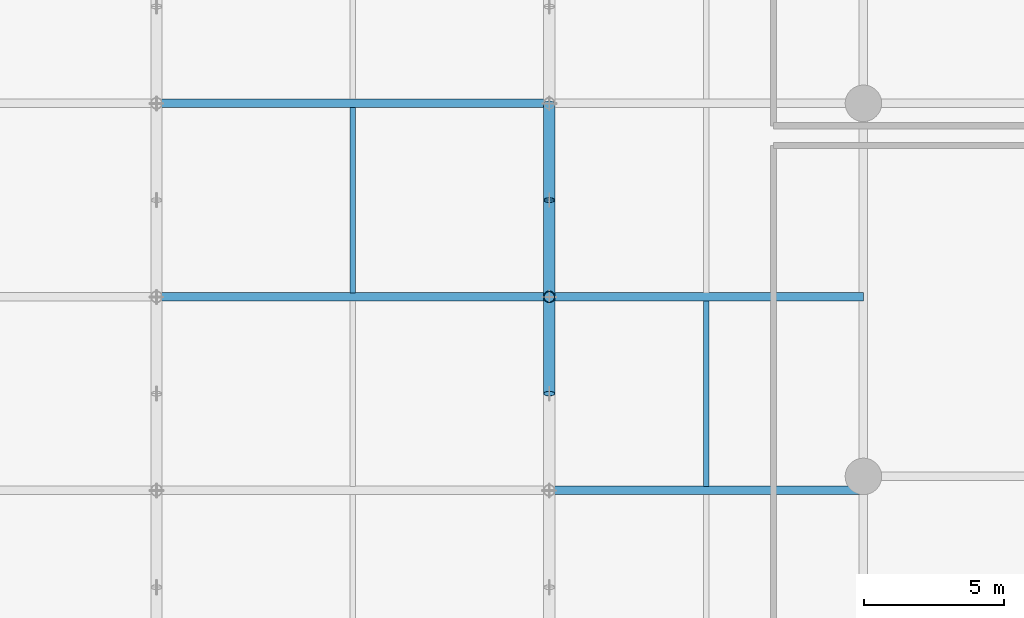
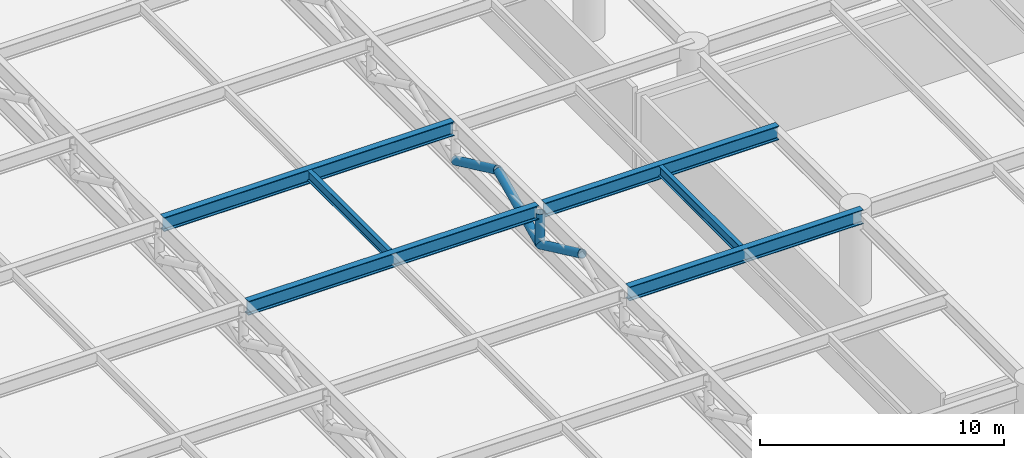
# One storey, part 13 of 40: 6 beams, 4 members.
"""IFC4 building model written with IfcOpenShell, lengths in metres."""

from ifc_helpers import new_model, si_unit, direction, frame, origin, origin_2d, place, context, subcontext, project, spatial, hollow_circle, i_section, extrude, material, material_profile, profile_set, type_object, element, save


model = new_model("IFC4")

# Units and contexts
model_context = context("Model", 3, precision=1e-05, world=origin(), true_north=direction((0.0, 1.0)))
body_context = subcontext(model_context, "Body", "Model", "MODEL_VIEW")
ifc_project = project(units=[si_unit("LENGTHUNIT", "METRE"), si_unit("AREAUNIT", "SQUARE_METRE"), si_unit("VOLUMEUNIT", "CUBIC_METRE"), si_unit("PLANEANGLEUNIT", "RADIAN"), si_unit("MASSUNIT", "GRAM", prefix="KILO")], contexts=[model_context])

# Site, building, storey
site_placement = place(None, origin())
site = spatial("IfcSite", under=ifc_project, at=site_placement, CompositionType="ELEMENT")
building_placement = place(site_placement, origin())
building = spatial("IfcBuilding", under=site, at=building_placement, Name="Narakoshi Arena Tower", CompositionType="ELEMENT")
storey_placement = place(building_placement, frame((0.0, 0.0, 21.60009765625)))
storey = spatial("IfcBuildingStorey", under=building, at=storey_placement, Name="L05", CompositionType="ELEMENT", Elevation=21.60009765625)

# Beams
ifc_material_1 = material(Name="Structural steel S355J2", Category="steel")
ifc_material_profile_1 = material_profile(ifc_material_1, i_section(OverallWidth=0.300048828125, OverallDepth=0.699951171875, WebThickness=0.01708984375, FlangeThickness=0.031982421875, FilletRadius=0.027099609375, at=origin_2d()), Name="HE700B")
ifc_profile_set_1 = profile_set([ifc_material_profile_1], Name="Structural steel S355J2")
beam_type_1 = type_object("IfcBeamType", Name="BM-PRI-700", PredefinedType="BEAM", material=ifc_profile_set_1)
beam_1_placement = place(storey_placement, frame((40.14501953125, 34.199951171875, 4.429931640625), z_axis=(1.0, 0.0, 0.0), x_axis=(0.0, 1.0, 0.0)))
element("IfcBeam", 1, at=beam_1_placement, inside=storey, type_object=beam_type_1, Name="L05 Arena Roof Transverse Girder 2-40", PredefinedType="BEAM", context=body_context, shape_type="SweptSolid", body=[
    extrude(i_section(OverallWidth=0.300048828125, OverallDepth=0.699951171875, WebThickness=0.01708984375, FlangeThickness=0.031982421875, FilletRadius=0.027099609375, at=origin_2d()), origin(), (0.0, 0.0, 1.0), 11.054931640625),
])
beam_2_placement = place(storey_placement, frame((26.14501953125, 41.10009765625, 4.429931640625), z_axis=(1.0, 0.0, 0.0), x_axis=(0.0, 1.0, 0.0)))
element("IfcBeam", 2, at=beam_2_placement, inside=storey, type_object=beam_type_1, Name="L05 Arena Roof Transverse Girder 3-26", PredefinedType="BEAM", context=body_context, shape_type="SweptSolid", body=[
    extrude(i_section(OverallWidth=0.300048828125, OverallDepth=0.699951171875, WebThickness=0.01708984375, FlangeThickness=0.031982421875, FilletRadius=0.027099609375, at=origin_2d()), origin(), (0.0, 0.0, 1.0), 13.7099609375),
])
beam_3_placement = place(storey_placement, frame((40.14501953125, 41.10009765625, 4.429931640625), z_axis=(1.0, 0.0, 0.0), x_axis=(0.0, 1.0, 0.0)))
element("IfcBeam", 3, at=beam_3_placement, inside=storey, type_object=beam_type_1, Name="L05 Arena Roof Transverse Girder 3-40", PredefinedType="BEAM", context=body_context, shape_type="SweptSolid", body=[
    extrude(i_section(OverallWidth=0.300048828125, OverallDepth=0.699951171875, WebThickness=0.01708984375, FlangeThickness=0.031982421875, FilletRadius=0.027099609375, at=origin_2d()), origin(), (0.0, 0.0, 1.0), 11.054931640625),
])
beam_4_placement = place(storey_placement, frame((26.14501953125, 48.0, 4.429931640625), z_axis=(1.0, 0.0, 0.0), x_axis=(0.0, 1.0, 0.0)))
element("IfcBeam", 4, at=beam_4_placement, inside=storey, type_object=beam_type_1, Name="L05 Arena Roof Transverse Girder 4-26", PredefinedType="BEAM", context=body_context, shape_type="SweptSolid", body=[
    extrude(i_section(OverallWidth=0.300048828125, OverallDepth=0.699951171875, WebThickness=0.01708984375, FlangeThickness=0.031982421875, FilletRadius=0.027099609375, at=origin_2d()), origin(), (0.0, 0.0, 1.0), 13.7099609375),
])
ifc_material_profile_2 = material_profile(ifc_material_1, i_section(OverallWidth=0.199951171875, OverallDepth=0.5, WebThickness=0.01025390625, FlangeThickness=0.01611328125, FilletRadius=0.02099609375, at=origin_2d()), Name="IPE500")
ifc_profile_set_2 = profile_set([ifc_material_profile_2], Name="Structural steel S355J2")
beam_type_2 = type_object("IfcBeamType", Name="BM-SEC-500", PredefinedType="JOIST", material=ifc_profile_set_2)
beam_5_placement = place(storey_placement, frame((33.0, 41.2451171875, 4.52978515625), z_axis=(0.0, 1.0, 0.0), x_axis=(-1.0, 0.0, 0.0)))
element("IfcBeam", 5, at=beam_5_placement, inside=storey, type_object=beam_type_2, Name="L05 Arena Roof Secondary Joist 26-4", PredefinedType="JOIST", context=body_context, shape_type="SweptSolid", body=[
    extrude(i_section(OverallWidth=0.199951171875, OverallDepth=0.5, WebThickness=0.01025390625, FlangeThickness=0.01611328125, FilletRadius=0.02099609375, at=origin_2d()), origin(), (0.0, 0.0, 1.0), 6.60986328125),
])
beam_6_placement = place(storey_placement, frame((45.60009765625, 34.344970703125, 4.52978515625), z_axis=(0.0, 1.0, 0.0), x_axis=(-1.0, 0.0, 0.0)))
element("IfcBeam", 6, at=beam_6_placement, inside=storey, type_object=beam_type_2, Name="L05 Arena Roof Secondary Joist 40-3", PredefinedType="JOIST", context=body_context, shape_type="SweptSolid", body=[
    extrude(i_section(OverallWidth=0.199951171875, OverallDepth=0.5, WebThickness=0.01025390625, FlangeThickness=0.01611328125, FilletRadius=0.02099609375, at=origin_2d()), origin(), (0.0, 0.0, 1.0), 6.610107421875),
])

# Members
ifc_material_2 = material(Name="Structural steel S460ML", Category="steel")
ifc_material_profile_3 = material_profile(ifc_material_2, hollow_circle(Radius=0.203125, WallThickness=0.01611328125, at=origin_2d()), Name="CHS406x16")
ifc_profile_set_3 = profile_set([ifc_material_profile_3], Name="Structural steel S460ML")
member_type = type_object("IfcMemberType", Name="MEM-ARN-406", PredefinedType="CHORD", material=ifc_profile_set_3)
member_1_placement = place(storey_placement, frame((40.0, 37.64990234375, 4.324951171875), z_axis=(0.0, 0.904679377383, -0.426092975931), x_axis=(-1.0, 0.0, 0.0)))
element("IfcMember", 7, at=member_1_placement, inside=storey, type_object=member_type, Name="L05 Arena Roof Truss 3 Web Diagonal 3B", PredefinedType="CHORD", context=body_context, shape_type="SweptSolid", body=[
    extrude(hollow_circle(Radius=0.203125, WallThickness=0.01611328125, at=origin_2d()), origin(), (0.0, 0.0, 1.0), 3.813720703125),
])
member_2_placement = place(storey_placement, frame((40.0, 41.10009765625, 2.699951171875), z_axis=(0.0, 0.0, 1.0), x_axis=(1.0, 0.0, 0.0)))
element("IfcMember", 8, at=member_2_placement, inside=storey, type_object=member_type, Name="L05 Arena Roof Truss 3 Web Post 4", PredefinedType="CHORD", context=body_context, shape_type="SweptSolid", body=[
    extrude(hollow_circle(Radius=0.203125, WallThickness=0.01611328125, at=origin_2d()), origin(), (0.0, 0.0, 1.0), 1.625),
])
for number, where, z_axis, x_axis, name in (
    (9, (40.0, 41.10009765625, 2.699951171875), (0.0, 0.904667753866, 0.426117654075), (-1.0, 0.0, 0.0), "L05 Arena Roof Truss 3 Web Diagonal 4A"),
    (10, (40.0, 44.550048828125, 4.324951171875), (0.0, 0.904667753866, -0.426117654075), (-1.0, 0.0, 0.0), "L05 Arena Roof Truss 3 Web Diagonal 4B"),
):
    element("IfcMember", number, at=place(storey_placement, frame(where, z_axis=z_axis, x_axis=x_axis)), inside=storey, type_object=member_type, Name=name, PredefinedType="CHORD", context=body_context, shape_type="SweptSolid", body=[
        extrude(hollow_circle(Radius=0.203125, WallThickness=0.01611328125, at=origin_2d()), origin(), (0.0, 0.0, 1.0), 3.8134765625),
    ])

save(model, "model.ifc")
